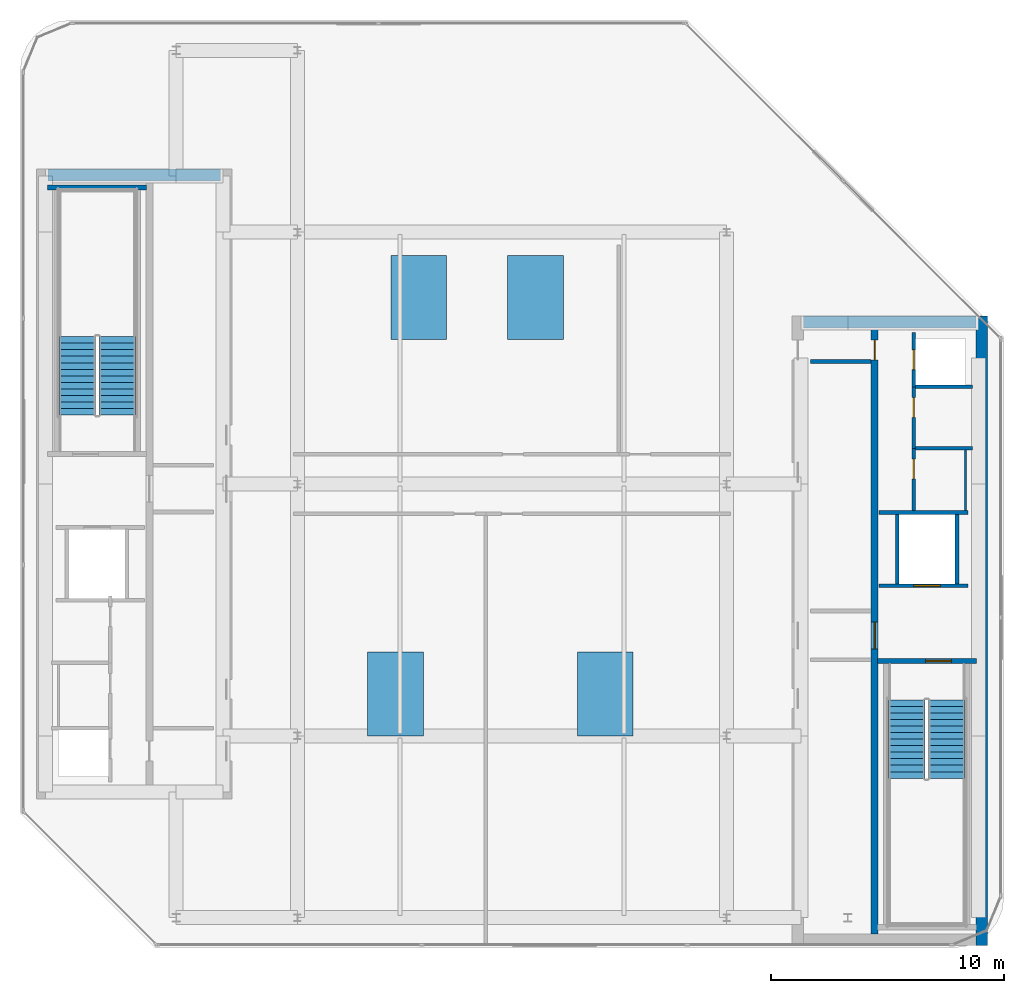
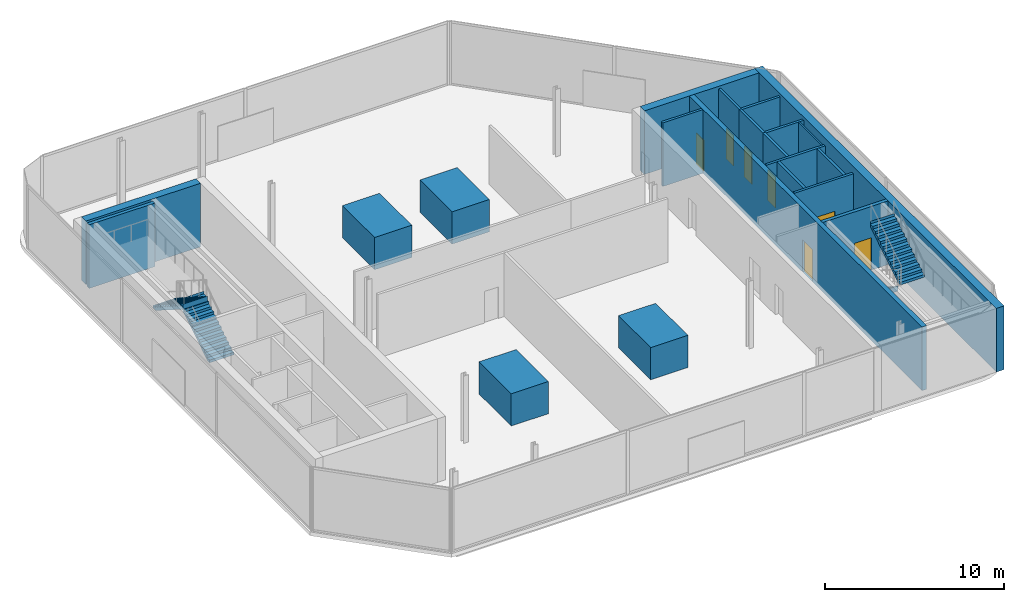
# One storey, part 6 of 15: 17 walls, 7 doors, 4 discrete accessories, 4 stair flights, 7 openings, 2 elements without a shape of their own.
"""IFC4 building model written with IfcOpenShell, lengths in metres."""

from ifc_helpers import new_model, si_unit, direction, frame, frame_2d, origin, origin_2d, place, context, subcontext, project, spatial, polyline, rectangle, outline, extrude, material, layer, layer_set, type_object, element, fill, aggregate, save


model = new_model("IFC4")

# Units and contexts
model_context = context("Model", 3, precision=1e-05, world=origin(), true_north=direction((0.0, 1.0)))
body_context = subcontext(model_context, "Body", "Model", "MODEL_VIEW")
ifc_project = project(units=[si_unit("LENGTHUNIT", "METRE"), si_unit("AREAUNIT", "SQUARE_METRE"), si_unit("VOLUMEUNIT", "CUBIC_METRE"), si_unit("PLANEANGLEUNIT", "RADIAN"), si_unit("MASSUNIT", "GRAM", prefix="KILO")], contexts=[model_context])

# Site, building, storey
site_placement = place(None, origin())
site = spatial("IfcSite", under=ifc_project, at=site_placement, CompositionType="ELEMENT")
building_placement = place(site_placement, origin())
building = spatial("IfcBuilding", under=site, at=building_placement, Name="Khairoan Windgate Tower", CompositionType="ELEMENT")
storey_placement = place(building_placement, frame((0.0, 0.0, 330.39990234375)))
storey = spatial("IfcBuildingStorey", under=building, at=storey_placement, Name="L79", CompositionType="ELEMENT", Elevation=330.39990234375)

# Wall
ifc_material_1 = material(Name="Moisture-Resistant Gypsum Partition", Category="gypsum")
ifc_layer_1 = layer(ifc_material_1, 0.10009765625, Name="Moisture-Resistant Gypsum Partition")
ifc_layer_set_1 = layer_set([ifc_layer_1], Name="Moisture-Resistant Gypsum Partition")
wall_type_1 = type_object("IfcWallType", Name="Bathroom Wet-Area Partition Wall", PredefinedType="PARTITIONING", material=ifc_layer_set_1)
wall_1_placement = place(storey_placement, frame((19.449951171875, 1.449951171875, 0.0), z_axis=(0.0, 0.0, 1.0), x_axis=(0.0, -1.0, 0.0)))
element("IfcWall", 1, at=wall_1_placement, inside=storey, type_object=wall_type_1, Name="L79 Wet Room Side Wall 018", PredefinedType="PARTITIONING", context=body_context, shape_type="SweptSolid", body=[
    extrude(rectangle(XDim=2.58984375, YDim=0.10009765625, at=frame_2d((1.294921875, 0.0))), origin(), (0.0, 0.0, 1.0), 4.340087890625),
])

# Wall, opening, door
ifc_material_2 = material(Name="Concrete C40/50", Category="concrete")
ifc_layer_2 = layer(ifc_material_2, 0.159912109375, Name="Concrete C40/50")
ifc_layer_set_2 = layer_set([ifc_layer_2], Name="Concrete C40/50")
wall_type_2 = type_object("IfcWallType", Name="Core and Hoistway Enclosure Wall", PredefinedType="STANDARD", material=ifc_layer_set_2)
wall_2_placement = place(storey_placement, frame((15.75, -4.360107421875, 0.0), z_axis=(0.0, 0.0, 1.0), x_axis=(1.0, 0.0, 0.0)))
wall_2 = element("IfcWall", 2, at=wall_2_placement, inside=storey, type_object=wall_type_2, Name="L79 Core Shaft Wall SW-FL1-L79", PredefinedType="STANDARD", context=body_context, shape_type="SweptSolid", body=[
    extrude(rectangle(XDim=3.800048828125, YDim=0.159912109375, at=frame_2d((1.89990234375, 0.0))), origin(), (0.0, 0.0, 1.0), 4.340087890625),
])
opening_1_placement = place(wall_2_placement, frame((1.469970703125, 0.0, 0.0)))
opening_1 = element("IfcOpeningElement", 3, at=opening_1_placement, cuts=wall_2, Name="Opening LD-FL", PredefinedType="OPENING", context=body_context, shape_type="SweptSolid", body=[
    extrude(rectangle(XDim=1.14990234375, YDim=2.199951171875, at=frame_2d((0.574951171875, 1.10009765625))), frame((0.0, 0.08984375, 0.0), z_axis=(0.0, -1.0, 0.0), x_axis=(1.0, 0.0, 0.0)), (0.0, 0.0, 1.0), 0.179931640625),
])
ifc_material_3 = material(Name="Steel S355", Category="steel")
door_type_1 = type_object("IfcDoorType", Name="Firefighting Lift Sliding Landing Door LD-FL 1150x2200", OperationType="DOUBLE_DOOR_SLIDING", PredefinedType="DOOR", material=ifc_material_3)
door_1_placement = place(opening_1_placement, origin())
door_1 = element("IfcDoor", 4, at=door_1_placement, inside=storey, type_object=door_type_1, Name="L79 Firefighting Lift FL1 Landing Door", OperationType="DOUBLE_DOOR_SLIDING", OverallHeight=2.199951171875, OverallWidth=1.14990234375, PredefinedType="DOOR", context=body_context, shape_type="SweptSolid", body=[
    extrude(rectangle(XDim=1.14990234375, YDim=2.199951171875, at=frame_2d((0.574951171875, 1.10009765625))), frame((0.0, 0.02490234375, 0.0), z_axis=(0.0, -1.0, 0.0), x_axis=(1.0, 0.0, 0.0)), (0.0, 0.0, 1.0), 0.050048828125),
])
fill(opening_1, door_1)

# Walls
wall_3_placement = place(storey_placement, frame((15.75, -1.219970703125, 0.0), z_axis=(0.0, 0.0, 1.0), x_axis=(1.0, 0.0, 0.0)))
element("IfcWall", 5, at=wall_3_placement, inside=storey, type_object=wall_type_2, Name="L79 Core Shaft Wall SW-FL1T-L79", PredefinedType="STANDARD", context=body_context, shape_type="SweptSolid", body=[
    extrude(rectangle(XDim=3.800048828125, YDim=0.159912109375, at=frame_2d((1.89990234375, 0.0))), origin(), (0.0, 0.0, 1.0), 4.340087890625),
])
for number, where, z_axis, x_axis, name in (
    (6, (16.52001953125, -4.280029296875, 0.0), (0.0, 0.0, 1.0), (0.0, 1.0, 0.0), "L79 Core Shaft Wall SW-FL1W-L79"),
    (7, (19.080078125, -4.280029296875, 0.0), (0.0, 0.0, 1.0), (0.0, 1.0, 0.0), "L79 Core Shaft Wall SW-FL1E-L79"),
):
    element("IfcWall", number, at=place(storey_placement, frame(where, z_axis=z_axis, x_axis=x_axis)), inside=storey, type_object=wall_type_2, Name=name, PredefinedType="STANDARD", context=body_context, shape_type="SweptSolid", body=[
        extrude(rectangle(XDim=2.97998046875, YDim=0.159912109375, at=frame_2d((1.489990234375, 0.0))), origin(), (0.0, 0.0, 1.0), 4.340087890625),
    ])
wall_4_placement = place(storey_placement, frame((12.800048828125, 5.25, 0.0), z_axis=(0.0, 0.0, 1.0), x_axis=(1.0, 0.0, 0.0)))
element("IfcWall", 8, at=wall_4_placement, inside=storey, type_object=wall_type_2, Name="L79 Core Shaft Wall SW-ESV-L79", PredefinedType="STANDARD", context=body_context, shape_type="SweptSolid", body=[
    extrude(rectangle(XDim=2.599853515625, YDim=0.159912109375, at=frame_2d((1.2998046875, 0.0))), origin(), (0.0, 0.0, 1.0), 4.340087890625),
])

# Wall, opening, door
ifc_material_4 = material(Name="Concrete C40/50", Category="concrete")
ifc_layer_3 = layer(ifc_material_4, 0.159912109375, Name="Concrete C40/50")
ifc_layer_set_3 = layer_set([ifc_layer_3], Name="Concrete C40/50")
wall_type_3 = type_object("IfcWallType", Name="Plant and Refuge Compartment Wall", PredefinedType="PARTITIONING", material=ifc_layer_set_3)
wall_5_placement = place(storey_placement, frame((17.22998046875, 4.169921875, 0.0), z_axis=(0.0, 0.0, 1.0), x_axis=(0.0, 1.0, 0.0)))
wall_5 = element("IfcWall", 9, at=wall_5_placement, inside=storey, type_object=wall_type_3, Name="L79 Interior Partition 006", PredefinedType="PARTITIONING", context=body_context, shape_type="SweptSolid", body=[
    extrude(rectangle(XDim=2.320068359375, YDim=0.159912109375, at=frame_2d((1.16015625, 0.0))), origin(), (0.0, 0.0, 1.0), 4.340087890625),
])
opening_2_placement = place(wall_5_placement, frame((0.735107421875, 0.0, 0.0)))
opening_2 = element("IfcOpeningElement", 10, at=opening_2_placement, cuts=wall_5, Name="Opening FD-SRV", PredefinedType="OPENING", context=body_context, shape_type="SweptSolid", body=[
    extrude(rectangle(XDim=0.85009765625, YDim=2.10009765625, at=frame_2d((0.425048828125, 1.050048828125))), frame((0.0, 0.08984375, 0.0), z_axis=(0.0, -1.0, 0.0), x_axis=(1.0, 0.0, 0.0)), (0.0, 0.0, 1.0), 0.179931640625),
])
ifc_material_5 = material(Name="Steel S355", Category="steel")
door_type_2 = type_object("IfcDoorType", Name="Core Service and Riser Fire Door FD-SRV 850x2100", OperationType="NOTDEFINED", PredefinedType="DOOR", material=ifc_material_5)
door_2_placement = place(opening_2_placement, origin())
door_2 = element("IfcDoor", 11, at=door_2_placement, inside=storey, type_object=door_type_2, Name="L79 L79-15-L79-16 Door", OperationType="SINGLE_SWING_RIGHT", OverallHeight=2.10009765625, OverallWidth=0.85009765625, PredefinedType="DOOR", context=body_context, shape_type="SweptSolid", body=[
    extrude(rectangle(XDim=0.85009765625, YDim=2.10009765625, at=frame_2d((0.425048828125, 1.050048828125))), frame((0.0, 0.02490234375, 0.0), z_axis=(0.0, -1.0, 0.0), x_axis=(1.0, 0.0, 0.0)), (0.0, 0.0, 1.0), 0.050048828125),
])
fill(opening_2, door_2)

wall_6_placement = place(storey_placement, frame((17.22998046875, -1.139892578125, 0.0), z_axis=(0.0, 0.0, 1.0), x_axis=(0.0, 1.0, 0.0)))
wall_6 = element("IfcWall", 12, at=wall_6_placement, inside=storey, type_object=wall_type_3, Name="L79 Interior Partition 007", PredefinedType="PARTITIONING", context=body_context, shape_type="SweptSolid", body=[
    extrude(rectangle(XDim=2.669921875, YDim=0.159912109375, at=frame_2d((1.3349609375, 0.0))), origin(), (0.0, 0.0, 1.0), 4.340087890625),
])
opening_3_placement = place(wall_6_placement, frame((1.360107421875, 0.0, 0.0)))
opening_3 = element("IfcOpeningElement", 13, at=opening_3_placement, cuts=wall_6, Name="Opening FD-SRV", PredefinedType="OPENING", context=body_context, shape_type="SweptSolid", body=[
    extrude(rectangle(XDim=0.85009765625, YDim=2.10009765625, at=frame_2d((0.425048828125, 1.050048828125))), frame((0.0, 0.08984375, 0.0), z_axis=(0.0, -1.0, 0.0), x_axis=(1.0, 0.0, 0.0)), (0.0, 0.0, 1.0), 0.179931640625),
])
door_3_placement = place(opening_3_placement, origin())
door_3 = element("IfcDoor", 14, at=door_3_placement, inside=storey, type_object=door_type_2, Name="L79 L79-15-L79-17 Door", OperationType="SINGLE_SWING_LEFT", OverallHeight=2.10009765625, OverallWidth=0.85009765625, PredefinedType="DOOR", context=body_context, shape_type="SweptSolid", body=[
    extrude(rectangle(XDim=0.85009765625, YDim=2.10009765625, at=frame_2d((0.425048828125, 1.050048828125))), frame((0.0, 0.02490234375, 0.0), z_axis=(0.0, -1.0, 0.0), x_axis=(1.0, 0.0, 0.0)), (0.0, 0.0, 1.0), 0.050048828125),
])
fill(opening_3, door_3)

wall_7_placement = place(storey_placement, frame((17.22998046875, 1.530029296875, 0.0), z_axis=(0.0, 0.0, 1.0), x_axis=(0.0, 1.0, 0.0)))
wall_7 = element("IfcWall", 15, at=wall_7_placement, inside=storey, type_object=wall_type_3, Name="L79 Interior Partition 008", PredefinedType="PARTITIONING", context=body_context, shape_type="SweptSolid", body=[
    extrude(rectangle(XDim=2.639892578125, YDim=0.159912109375, at=frame_2d((1.31982421875, 0.0))), origin(), (0.0, 0.0, 1.0), 4.340087890625),
])
opening_4_placement = place(wall_7_placement, frame((1.330078125, 0.0, 0.0)))
opening_4 = element("IfcOpeningElement", 16, at=opening_4_placement, cuts=wall_7, Name="Opening FD-SRV", PredefinedType="OPENING", context=body_context, shape_type="SweptSolid", body=[
    extrude(rectangle(XDim=0.85009765625, YDim=2.10009765625, at=frame_2d((0.425048828125, 1.050048828125))), frame((0.0, 0.08984375, 0.0), z_axis=(0.0, -1.0, 0.0), x_axis=(1.0, 0.0, 0.0)), (0.0, 0.0, 1.0), 0.179931640625),
])
door_4_placement = place(opening_4_placement, origin())
door_4 = element("IfcDoor", 17, at=door_4_placement, inside=storey, type_object=door_type_2, Name="L79 L79-15-L79-18 Door", OperationType="SINGLE_SWING_RIGHT", OverallHeight=2.10009765625, OverallWidth=0.85009765625, PredefinedType="DOOR", context=body_context, shape_type="SweptSolid", body=[
    extrude(rectangle(XDim=0.85009765625, YDim=2.10009765625, at=frame_2d((0.425048828125, 1.050048828125))), frame((0.0, 0.02490234375, 0.0), z_axis=(0.0, -1.0, 0.0), x_axis=(1.0, 0.0, 0.0)), (0.0, 0.0, 1.0), 0.050048828125),
])
fill(opening_4, door_4)

# Walls
for number, where, z_axis, x_axis, name in (
    (18, (17.31005859375, 4.169921875, 0.0), (0.0, 0.0, 1.0), (1.0, 0.0, 0.0), "L79 Interior Partition 009"),
    (19, (17.31005859375, 1.530029296875, 0.0), (0.0, 0.0, 1.0), (1.0, 0.0, 0.0), "L79 Interior Partition 010"),
):
    element("IfcWall", number, at=place(storey_placement, frame(where, z_axis=z_axis, x_axis=x_axis)), inside=storey, type_object=wall_type_3, Name=name, PredefinedType="PARTITIONING", context=body_context, shape_type="SweptSolid", body=[
        extrude(rectangle(XDim=2.43994140625, YDim=0.159912109375, at=frame_2d((1.219970703125, 0.0))), origin(), (0.0, 0.0, 1.0), 4.340087890625),
    ])
ifc_material_6 = material(Name="Concrete C50/60", Category="concrete")
ifc_layer_4 = layer(ifc_material_6, 0.5, Name="Concrete C50/60")
ifc_layer_set_4 = layer_set([ifc_layer_4], Name="Concrete C50/60")
wall_type_4 = type_object("IfcWallType", Name="Shear Wall CW-E3 500mm", PredefinedType="SHEAR", material=ifc_layer_set_4)
wall_8_placement = place(storey_placement, frame((20.14990234375, -19.800048828125, 0.0), z_axis=(0.0, 0.0, 1.0), x_axis=(0.0, 1.0, 0.0)))
element("IfcWall", 20, at=wall_8_placement, inside=storey, type_object=wall_type_4, Name="E Core East Shear Wall L79", PredefinedType="SHEAR", context=body_context, shape_type="SweptSolid", body=[
    extrude(rectangle(XDim=27.0, YDim=0.5, at=frame_2d((13.5, 0.0))), origin(), (0.0, 0.0, 1.0), 4.340087890625),
])
wall_9_placement = place(storey_placement, frame((12.5, 6.949951171875, 0.0), z_axis=(0.0, 0.0, 1.0), x_axis=(1.0, 0.0, 0.0)))
element("IfcWall", 21, at=wall_9_placement, inside=storey, type_object=wall_type_4, Name="E Core North Shear Wall L79", PredefinedType="SHEAR", context=body_context, shape_type="SweptSolid", body=[
    extrude(rectangle(XDim=7.39990234375, YDim=0.5, at=frame_2d((3.699951171875, 0.0))), origin(), (0.0, 0.0, 1.0), 4.340087890625),
])
ifc_material_7 = material(Name="Concrete C50/60", Category="concrete")
ifc_layer_5 = layer(ifc_material_7, 0.5, Name="Concrete C50/60")
ifc_layer_set_5 = layer_set([ifc_layer_5], Name="Concrete C50/60")
wall_type_5 = type_object("IfcWallType", Name="Shear Wall CW-W3 500mm", PredefinedType="SHEAR", material=ifc_layer_set_5)
wall_10_placement = place(storey_placement, frame((-19.89990234375, 13.25, 0.0), z_axis=(0.0, 0.0, 1.0), x_axis=(1.0, 0.0, 0.0)))
element("IfcWall", 22, at=wall_10_placement, inside=storey, type_object=wall_type_5, Name="W Core North Shear Wall L79", PredefinedType="SHEAR", context=body_context, shape_type="SweptSolid", body=[
    extrude(rectangle(XDim=7.39990234375, YDim=0.5, at=frame_2d((3.699951171875, 0.0))), origin(), (0.0, 0.0, 1.0), 4.340087890625),
])

# Wall, openings, doors
ifc_material_8 = material(Name="Concrete C50/60", Category="concrete")
ifc_layer_6 = layer(ifc_material_8, 0.300048828125, Name="Concrete C50/60")
ifc_layer_set_6 = layer_set([ifc_layer_6], Name="Concrete C50/60")
wall_type_6 = type_object("IfcWallType", Name="Shear Wall SW-2 300mm", PredefinedType="SHEAR", material=ifc_layer_set_6)
wall_11_placement = place(storey_placement, frame((15.550048828125, -19.300048828125, 0.0), z_axis=(0.0, 0.0, 1.0), x_axis=(0.0, 1.0, 0.0)))
wall_11 = element("IfcWall", 23, at=wall_11_placement, inside=storey, type_object=wall_type_6, Name="E Core Spine Shear Wall L79", PredefinedType="SHEAR", context=body_context, shape_type="SweptSolid", body=[
    extrude(rectangle(XDim=26.0, YDim=0.300048828125, at=frame_2d((13.0, 0.0))), origin(), (0.0, 0.0, 1.0), 4.340087890625),
])
opening_5_placement = place(wall_11_placement, frame((12.22509765625, 0.0, 0.0)))
opening_5 = element("IfcOpeningElement", 24, at=opening_5_placement, cuts=wall_11, Name="Opening FD-FFL", PredefinedType="OPENING", context=body_context, shape_type="SweptSolid", body=[
    extrude(rectangle(XDim=1.14990234375, YDim=2.199951171875, at=frame_2d((0.574951171875, 1.10009765625))), frame((0.0, 0.159912109375, 0.0), z_axis=(0.0, -1.0, 0.0), x_axis=(1.0, 0.0, 0.0)), (0.0, 0.0, 1.0), 0.320068359375),
])
opening_6_placement = place(wall_11_placement, frame((24.625, 0.0, 0.0)))
opening_6 = element("IfcOpeningElement", 25, at=opening_6_placement, cuts=wall_11, Name="Opening FD-SRV", PredefinedType="OPENING", context=body_context, shape_type="SweptSolid", body=[
    extrude(rectangle(XDim=0.85009765625, YDim=2.10009765625, at=frame_2d((0.425048828125, 1.050048828125))), frame((0.0, 0.159912109375, 0.0), z_axis=(0.0, -1.0, 0.0), x_axis=(1.0, 0.0, 0.0)), (0.0, 0.0, 1.0), 0.320068359375),
])
door_5_placement = place(opening_6_placement, origin())
door_5 = element("IfcDoor", 26, at=door_5_placement, inside=storey, type_object=door_type_2, Name="L79 East Core Service Passage Inner Door", OperationType="SINGLE_SWING_RIGHT", OverallHeight=2.10009765625, OverallWidth=0.85009765625, PredefinedType="DOOR", context=body_context, shape_type="SweptSolid", body=[
    extrude(rectangle(XDim=0.85009765625, YDim=2.10009765625, at=frame_2d((0.425048828125, 1.050048828125))), frame((0.0, 0.02490234375, 0.0), z_axis=(0.0, -1.0, 0.0), x_axis=(1.0, 0.0, 0.0)), (0.0, 0.0, 1.0), 0.050048828125),
])
fill(opening_6, door_5)
ifc_material_9 = material(Name="Steel S355", Category="steel")
door_type_3 = type_object("IfcDoorType", Name="Firefighting Lobby Fire Door FD-FFL 1150x2200", OperationType="NOTDEFINED", PredefinedType="DOOR", material=ifc_material_9)
door_6_placement = place(opening_5_placement, origin())
door_6 = element("IfcDoor", 27, at=door_6_placement, inside=storey, type_object=door_type_3, Name="L79 East Firefighting Lobby Fire Door", OperationType="SINGLE_SWING_RIGHT", OverallHeight=2.199951171875, OverallWidth=1.14990234375, PredefinedType="DOOR", context=body_context, shape_type="SweptSolid", body=[
    extrude(rectangle(XDim=1.14990234375, YDim=2.199951171875, at=frame_2d((0.574951171875, 1.10009765625))), frame((0.0, 0.02490234375, 0.0), z_axis=(0.0, -1.0, 0.0), x_axis=(1.0, 0.0, 0.0)), (0.0, 0.0, 1.0), 0.050048828125),
])
fill(opening_5, door_6)

# Wall, opening, door
ifc_material_10 = material(Name="Concrete C50/60", Category="concrete")
ifc_layer_7 = layer(ifc_material_10, 0.219970703125, Name="Concrete C50/60")
ifc_layer_set_7 = layer_set([ifc_layer_7], Name="Concrete C50/60")
wall_type_7 = type_object("IfcWallType", Name="Shear Wall SW-ST 220mm", PredefinedType="SHEAR", material=ifc_layer_set_7)
wall_12_placement = place(storey_placement, frame((19.919921875, -7.590087890625, 0.0), z_axis=(0.0, 0.0, 1.0), x_axis=(-1.0, 0.0, 0.0)))
wall_12 = element("IfcWall", 28, at=wall_12_placement, inside=storey, type_object=wall_type_7, Name="L79 Stair ST1 North Bearing Wall", PredefinedType="SHEAR", context=body_context, shape_type="SweptSolid", body=[
    extrude(rectangle(XDim=4.239990234375, YDim=0.219970703125, at=frame_2d((2.1201171875, 0.0))), origin(), (0.0, 0.0, 1.0), 4.340087890625),
])
opening_7_placement = place(wall_12_placement, frame((1.080078125, 0.0, 0.0)))
opening_7 = element("IfcOpeningElement", 29, at=opening_7_placement, cuts=wall_12, Name="Opening FD-ST", PredefinedType="OPENING", context=body_context, shape_type="SweptSolid", body=[
    extrude(rectangle(XDim=1.10009765625, YDim=2.199951171875, at=frame_2d((0.550048828125, 1.10009765625))), frame((0.0, 0.119873046875, 0.0), z_axis=(0.0, -1.0, 0.0), x_axis=(1.0, 0.0, 0.0)), (0.0, 0.0, 1.0), 0.239990234375),
])
ifc_material_11 = material(Name="Steel S355", Category="steel")
door_type_4 = type_object("IfcDoorType", Name="Smokeproof Stair Fire Door FD-ST 1100x2200", OperationType="NOTDEFINED", PredefinedType="DOOR", material=ifc_material_11)
door_7_placement = place(opening_7_placement, origin())
door_7 = element("IfcDoor", 30, at=door_7_placement, inside=storey, type_object=door_type_4, Name="L79 Stair ST1 Fire Door", OperationType="SINGLE_SWING_LEFT", OverallHeight=2.199951171875, OverallWidth=1.10009765625, PredefinedType="DOOR", context=body_context, shape_type="SweptSolid", body=[
    extrude(rectangle(XDim=1.10009765625, YDim=2.199951171875, at=frame_2d((0.550048828125, 1.10009765625))), frame((0.0, 0.02490234375, 0.0), z_axis=(0.0, -1.0, 0.0), x_axis=(1.0, 0.0, 0.0)), (0.0, 0.0, 1.0), 0.050048828125),
])
fill(opening_7, door_7)

# Wall
wall_13_placement = place(storey_placement, frame((-19.919921875, 12.7099609375, 0.0), z_axis=(0.0, 0.0, 1.0), x_axis=(1.0, 0.0, 0.0)))
element("IfcWall", 31, at=wall_13_placement, inside=storey, type_object=wall_type_7, Name="L79 Stair ST2 North Bearing Wall", PredefinedType="SHEAR", context=body_context, shape_type="SweptSolid", body=[
    extrude(rectangle(XDim=4.239990234375, YDim=0.219970703125, at=frame_2d((2.1201171875, 0.0))), origin(), (0.0, 0.0, 1.0), 4.340087890625),
])

# Stair, stair flights
ifc_material_12 = material(Name="Concrete C40/50", Category="concrete")
stair_type = type_object("IfcStairType", Name="Tower Core Dog-Leg Stair ST-T1 1560mm", PredefinedType="HALF_TURN_STAIR", material=ifc_material_12)
stair_1_placement = place(storey_placement, origin())
stair_1 = element("IfcStair", 32, at=stair_1_placement, inside=storey, type_object=stair_type, Name="L79 Stair ST1", PredefinedType="HALF_TURN_STAIR")
ifc_material_13 = material(Name="Concrete C40/50", Category="concrete")
ifc_layer_8 = layer(ifc_material_13, 0.14990234375, Name="Concrete C40/50")
ifc_layer_set_8 = layer_set([ifc_layer_8], Name="Concrete C40/50")
stair_flight_type = type_object("IfcStairFlightType", Name="Tower Core Stair Flight STF-1560", PredefinedType="STRAIGHT", material=ifc_layer_set_8)
stair_flight_1_placement = place(storey_placement, frame((16.929931640625, -9.260009765625, 0.0), z_axis=(0.0, 0.0, 1.0), x_axis=(0.0, -1.0, 0.0)))
stair_flight_1 = element("IfcStairFlight", 33, at=stair_flight_1_placement, type_object=stair_flight_type, Name="ST1 flight 1", NumberOfRisers=13, NumberOfTreads=12, PredefinedType="STRAIGHT", RiserHeight=0.176923077, TreadLength=0.28, context=body_context, shape_type="SweptSolid", body=[
    extrude(outline(polyline([(-0.00390625, 0.0), (-0.00390625, 0.177001953125), (0.0, 0.177001953125), (0.280029296875, 0.177001953125), (0.280029296875, 0.353759765625), (0.56005859375, 0.353759765625), (0.56005859375, 0.53076171875), (0.840087890625, 0.53076171875), (0.840087890625, 0.707763671875), (1.1201171875, 0.707763671875), (1.1201171875, 0.884521484375), (1.39990234375, 0.884521484375), (1.39990234375, 1.0615234375), (1.679931640625, 1.0615234375), (1.679931640625, 1.238525390625), (1.9599609375, 1.238525390625), (1.9599609375, 1.415283203125), (2.239990234375, 1.415283203125), (2.239990234375, 1.59228515625), (2.52001953125, 1.59228515625), (2.52001953125, 1.769287109375), (2.800048828125, 1.769287109375), (2.800048828125, 1.946044921875), (3.080078125, 1.946044921875), (3.080078125, 2.123046875), (3.360107421875, 2.123046875), (3.360107421875, 2.300048828125), (3.364013671875, 2.300048828125), (3.364013671875, 1.94580078125), (0.280517578125, 0.0), (-0.00390625, 0.0)])), frame((0.0, 0.780029296875, 0.0), z_axis=(0.0, -1.0, 0.0), x_axis=(1.0, 0.0, 0.0)), (0.0, 0.0, 1.0), 1.56005859375),
])
stair_flight_2_placement = place(storey_placement, frame((18.639892578125, -12.6201171875, 2.300048828125), z_axis=(0.0, 0.0, 1.0), x_axis=(0.0, 1.0, 0.0)))
stair_flight_2 = element("IfcStairFlight", 34, at=stair_flight_2_placement, type_object=stair_flight_type, Name="ST1 flight 2", NumberOfRisers=13, NumberOfTreads=12, PredefinedType="STRAIGHT", RiserHeight=0.176923077, TreadLength=0.28, context=body_context, shape_type="SweptSolid", body=[
    extrude(outline(polyline([(-0.00390625, 0.0), (-0.00390625, 0.177001953125), (0.0, 0.177001953125), (0.280029296875, 0.177001953125), (0.280029296875, 0.353759765625), (0.56005859375, 0.353759765625), (0.56005859375, 0.53076171875), (0.840087890625, 0.53076171875), (0.840087890625, 0.707763671875), (1.1201171875, 0.707763671875), (1.1201171875, 0.884521484375), (1.39990234375, 0.884521484375), (1.39990234375, 1.0615234375), (1.679931640625, 1.0615234375), (1.679931640625, 1.238525390625), (1.9599609375, 1.238525390625), (1.9599609375, 1.415283203125), (2.239990234375, 1.415283203125), (2.239990234375, 1.59228515625), (2.52001953125, 1.59228515625), (2.52001953125, 1.769287109375), (2.800048828125, 1.769287109375), (2.800048828125, 1.946044921875), (3.080078125, 1.946044921875), (3.080078125, 2.123046875), (3.360107421875, 2.123046875), (3.360107421875, 2.300048828125), (3.364013671875, 2.300048828125), (3.364013671875, 1.94580078125), (0.280517578125, 0.0), (-0.00390625, 0.0)])), frame((0.0, 0.780029296875, 0.0), z_axis=(0.0, -1.0, 0.0), x_axis=(1.0, 0.0, 0.0)), (0.0, 0.0, 1.0), 1.56005859375),
])
aggregate(stair_1, [stair_flight_1, stair_flight_2])

stair_2_placement = place(storey_placement, origin())
stair_2 = element("IfcStair", 35, at=stair_2_placement, inside=storey, type_object=stair_type, Name="L79 Stair ST2", PredefinedType="HALF_TURN_STAIR")
stair_flight_3_placement = place(storey_placement, frame((-16.929931640625, 2.9599609375, 0.0), z_axis=(0.0, 0.0, 1.0), x_axis=(0.0, 1.0, 0.0)))
stair_flight_3 = element("IfcStairFlight", 36, at=stair_flight_3_placement, type_object=stair_flight_type, Name="ST2 flight 1", NumberOfRisers=13, NumberOfTreads=12, PredefinedType="STRAIGHT", RiserHeight=0.176923077, TreadLength=0.28, context=body_context, shape_type="SweptSolid", body=[
    extrude(outline(polyline([(-0.00390625, 0.0), (-0.00390625, 0.177001953125), (0.0, 0.177001953125), (0.280029296875, 0.177001953125), (0.280029296875, 0.353759765625), (0.56005859375, 0.353759765625), (0.56005859375, 0.53076171875), (0.840087890625, 0.53076171875), (0.840087890625, 0.707763671875), (1.1201171875, 0.707763671875), (1.1201171875, 0.884521484375), (1.39990234375, 0.884521484375), (1.39990234375, 1.0615234375), (1.679931640625, 1.0615234375), (1.679931640625, 1.238525390625), (1.9599609375, 1.238525390625), (1.9599609375, 1.415283203125), (2.239990234375, 1.415283203125), (2.239990234375, 1.59228515625), (2.52001953125, 1.59228515625), (2.52001953125, 1.769287109375), (2.800048828125, 1.769287109375), (2.800048828125, 1.946044921875), (3.080078125, 1.946044921875), (3.080078125, 2.123046875), (3.360107421875, 2.123046875), (3.360107421875, 2.300048828125), (3.364013671875, 2.300048828125), (3.364013671875, 1.94580078125), (0.280517578125, 0.0), (-0.00390625, 0.0)])), frame((0.0, 0.780029296875, 0.0), z_axis=(0.0, -1.0, 0.0), x_axis=(1.0, 0.0, 0.0)), (0.0, 0.0, 1.0), 1.56005859375),
])
stair_flight_4_placement = place(storey_placement, frame((-18.639892578125, 6.320068359375, 2.300048828125), z_axis=(0.0, 0.0, 1.0), x_axis=(0.0, -1.0, 0.0)))
stair_flight_4 = element("IfcStairFlight", 37, at=stair_flight_4_placement, type_object=stair_flight_type, Name="ST2 flight 2", NumberOfRisers=13, NumberOfTreads=12, PredefinedType="STRAIGHT", RiserHeight=0.176923077, TreadLength=0.28, context=body_context, shape_type="SweptSolid", body=[
    extrude(outline(polyline([(-0.00390625, 0.0), (-0.00390625, 0.177001953125), (0.0, 0.177001953125), (0.280029296875, 0.177001953125), (0.280029296875, 0.353759765625), (0.56005859375, 0.353759765625), (0.56005859375, 0.53076171875), (0.840087890625, 0.53076171875), (0.840087890625, 0.707763671875), (1.1201171875, 0.707763671875), (1.1201171875, 0.884521484375), (1.39990234375, 0.884521484375), (1.39990234375, 1.0615234375), (1.679931640625, 1.0615234375), (1.679931640625, 1.238525390625), (1.9599609375, 1.238525390625), (1.9599609375, 1.415283203125), (2.239990234375, 1.415283203125), (2.239990234375, 1.59228515625), (2.52001953125, 1.59228515625), (2.52001953125, 1.769287109375), (2.800048828125, 1.769287109375), (2.800048828125, 1.946044921875), (3.080078125, 1.946044921875), (3.080078125, 2.123046875), (3.360107421875, 2.123046875), (3.360107421875, 2.300048828125), (3.364013671875, 2.300048828125), (3.364013671875, 1.94580078125), (0.280517578125, 0.0), (-0.00390625, 0.0)])), frame((0.0, 0.780029296875, 0.0), z_axis=(0.0, -1.0, 0.0), x_axis=(1.0, 0.0, 0.0)), (0.0, 0.0, 1.0), 1.56005859375),
])
aggregate(stair_2, [stair_flight_3, stair_flight_4])

# Discrete accessories
ifc_material_14 = material(Name="Steel S355", Category="steel")
discrete_accessory_type = type_object("IfcDiscreteAccessoryType", Name="Mechanical Plant Equipment Unit and Plinth MEP-1", PredefinedType="USERDEFINED", material=ifc_material_14)
for number, where, z_axis, x_axis, name in (
    (38, (-4.0, 8.0, 0.0), (0.0, 0.0, 1.0), (1.0, 0.0, 0.0), "L79 Centrifugal Chiller Unit 1"),
    (39, (1.0, 8.0, 0.0), (0.0, 0.0, 1.0), (1.0, 0.0, 0.0), "L79 Centrifugal Chiller Unit 2"),
    (40, (-5.0, -9.0, 0.0), (0.0, 0.0, 1.0), (1.0, 0.0, 0.0), "L79 Condenser Water Pump Skid"),
    (41, (4.0, -9.0, 0.0), (0.0, 0.0, 1.0), (1.0, 0.0, 0.0), "L79 Fresh-Air Enthalpy AHU"),
):
    element("IfcDiscreteAccessory", number, at=place(storey_placement, frame(where, z_axis=z_axis, x_axis=x_axis)), inside=storey, type_object=discrete_accessory_type, Name=name, ObjectType="PLANT EQUIPMENT", PredefinedType="USERDEFINED", context=body_context, shape_type="SweptSolid", body=[
        extrude(rectangle(XDim=2.39990234375, YDim=3.60009765625, at=origin_2d()), origin(), (0.0, 0.0, 1.0), 2.199951171875),
    ])

save(model, "model.ifc")
